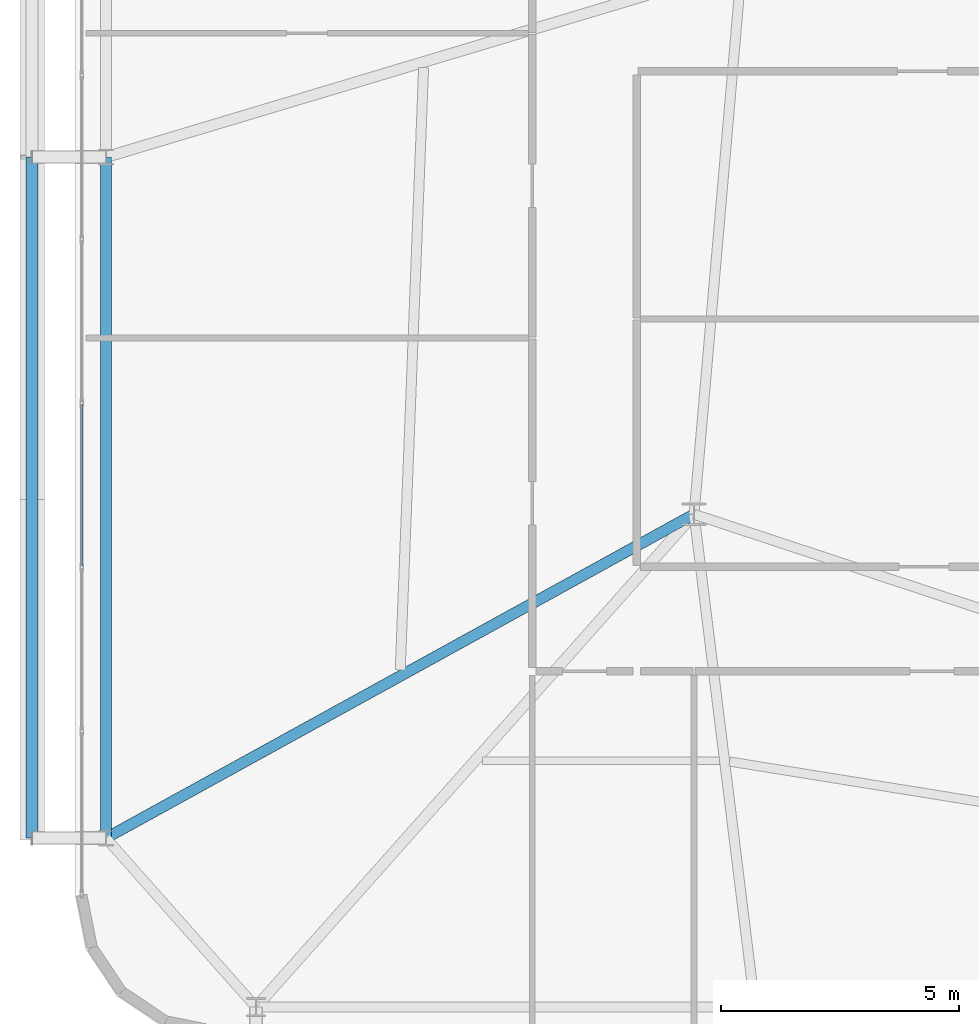
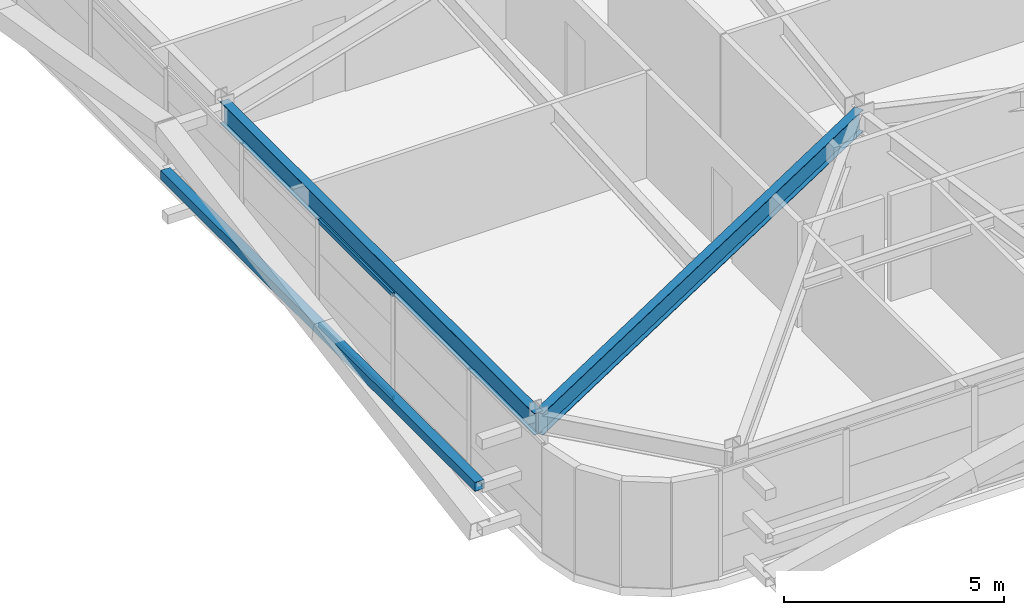
# One storey, part 9 of 59: 3 members, 2 beams, 1 element without a shape of its own.
"""IFC4 building model written with IfcOpenShell, lengths in metres."""

from ifc_helpers import new_model, si_unit, direction, frame, origin, origin_2d, place, context, subcontext, project, spatial, hollow_rectangle, i_section, extrude, source, transform, mapped, material, layer, layer_set, material_profile, profile_set, type_object, element, aggregate, save


model = new_model("IFC4")

# Units and contexts
model_context = context("Model", 3, precision=1e-05, world=origin(), true_north=direction((0.0, 1.0)))
body_context = subcontext(model_context, "Body", "Model", "MODEL_VIEW")
ifc_project = project(units=[si_unit("LENGTHUNIT", "METRE"), si_unit("AREAUNIT", "SQUARE_METRE"), si_unit("VOLUMEUNIT", "CUBIC_METRE"), si_unit("PLANEANGLEUNIT", "RADIAN"), si_unit("MASSUNIT", "GRAM", prefix="KILO")], contexts=[model_context])

# Site, building, storey
site_placement = place(None, origin())
site = spatial("IfcSite", under=ifc_project, at=site_placement, CompositionType="ELEMENT")
building_placement = place(site_placement, origin())
building = spatial("IfcBuilding", under=site, at=building_placement, Name="Taldren Reach Tower", CompositionType="ELEMENT")
storey_placement = place(building_placement, frame((0.0, 0.0, 48.300048828125)))
storey = spatial("IfcBuildingStorey", under=building, at=storey_placement, Name="L14", CompositionType="ELEMENT", Elevation=48.300048828125)

# Beams
ifc_material_1 = material(Name="Steel Gr 350 (350PLUS)", Category="steel")
ifc_material_profile_1 = material_profile(ifc_material_1, i_section(OverallWidth=0.22802734375, OverallDepth=0.60205078125, WebThickness=0.010498046875, FlangeThickness=0.014892578125, at=origin_2d()), Name="610UB101")
ifc_profile_set_1 = profile_set([ifc_material_profile_1], Name="Steel Gr 350 (350PLUS)")
beam_type = type_object("IfcBeamType", Name="BM-UB610B", PredefinedType="BEAM", material=ifc_profile_set_1)
shared_shape_1 = source(origin(), body_context, "Body", "SweptSolid", [
    extrude(i_section(OverallWidth=0.22802734375, OverallDepth=0.60205078125, WebThickness=0.010498046875, FlangeThickness=0.014892578125, at=origin_2d()), origin(), (0.0, 0.0, 1.0), 14.300048828125),
])
beam_1_placement = place(storey_placement, frame((5.64990234375, 20.0, 2.62890625), z_axis=(0.0, -1.0, 0.0), x_axis=(1.0, 0.0, 0.0)))
element("IfcBeam", 1, at=beam_1_placement, inside=storey, type_object=beam_type, Name="Perimeter gable girder B1 W2-W1 L14", PredefinedType="BEAM", context=body_context, shape_type="MappedRepresentation", body=[
    mapped(shared_shape_1, transform((0.0, 0.0, 0.0), scale=1.0)),
])
shared_shape_2 = source(origin(), body_context, "Body", "SweptSolid", [
    extrude(i_section(OverallWidth=0.22802734375, OverallDepth=0.60205078125, WebThickness=0.010498046875, FlangeThickness=0.014892578125, at=origin_2d()), origin(), (0.0, 0.0, 1.0), 14.098388671875),
])
beam_2_placement = place(storey_placement, frame((18.0, 12.5, 2.62890625), z_axis=(-0.875991325783, -0.482326857175, 0.0), x_axis=(0.482326857175, -0.875991325783, 0.0)))
element("IfcBeam", 2, at=beam_2_placement, inside=storey, type_object=beam_type, Name="Primary floor girder B1-W1 L14", PredefinedType="BEAM", context=body_context, shape_type="MappedRepresentation", body=[
    mapped(shared_shape_2, transform((0.0, 0.0, 0.0), scale=1.0)),
])

# Member
ifc_material_2 = material(Name="Steel Gr 350 (C350L0)", Category="steel")
ifc_material_profile_2 = material_profile(ifc_material_2, hollow_rectangle(XDim=0.25, YDim=0.25, WallThickness=0.010009765625, at=origin_2d()), Name="250x250x10.0SHS")
ifc_profile_set_2 = profile_set([ifc_material_profile_2], Name="Steel Gr 350 (C350L0)")
member_type_1 = type_object("IfcMemberType", Name="MB-POST250", PredefinedType="POST", material=ifc_profile_set_2)
shared_shape_3 = source(origin(), body_context, "Body", "SweptSolid", [
    extrude(hollow_rectangle(XDim=0.25, YDim=0.25, WallThickness=0.010009765625, at=origin_2d()), origin(), (0.0, 0.0, 1.0), 14.300048828125),
])
member_1_placement = place(storey_placement, frame((4.10009765625, 5.699951171875, 1.43505859375), z_axis=(0.0, 1.0, 0.0), x_axis=(-1.0, 0.0, 0.0)))
element("IfcMember", 3, at=member_1_placement, inside=storey, type_object=member_type_1, Name="Exoskeleton mid-height ring chord B1-W1 L14", PredefinedType="POST", context=body_context, shape_type="MappedRepresentation", body=[
    mapped(shared_shape_3, transform((0.0, 0.0, 0.0), scale=1.0)),
])

# Curtain wall, members
ifc_material_3 = material(Name="Aluminium and Low-E Glass Unitised System", Category="aluminium")
ifc_layer = layer(ifc_material_3, 0.159912109375)
ifc_layer_set = layer_set([ifc_layer], Name="Aluminium and Low-E Glass Unitised System")
curtain_wall_type = type_object("IfcCurtainWallType", Name="CW-SYS-2", PredefinedType="NOTDEFINED", material=ifc_layer_set)
curtain_wall_placement = place(storey_placement, origin())
curtain_wall = element("IfcCurtainWall", 4, at=curtain_wall_placement, inside=storey, type_object=curtain_wall_type, Name="Unitised curtain wall CW-L14-W", PredefinedType="NOTDEFINED")
ifc_material_4 = material(Name="Anodised Aluminium 6063-T6", Category="aluminium")
ifc_material_profile_3 = material_profile(ifc_material_4, hollow_rectangle(XDim=0.054931640625, YDim=0.1201171875, WallThickness=0.0029296875, at=origin_2d()), Name="ALU-120x55x3RHS")
ifc_profile_set_3 = profile_set([ifc_material_profile_3], Name="Anodised Aluminium 6063-T6")
member_type_2 = type_object("IfcMemberType", Name="CW-TRN-135", PredefinedType="USERDEFINED", material=ifc_profile_set_3)
shared_shape_4 = source(origin(), body_context, "Body", "SweptSolid", [
    extrude(hollow_rectangle(XDim=0.054931640625, YDim=0.1201171875, WallThickness=0.0029296875, at=origin_2d()), origin(), (0.0, 0.0, 1.0), 3.37939453125),
])
member_2_placement = place(storey_placement, frame((5.139892578125, 14.80078125, 0.02734375), z_axis=(0.0, -1.0, 0.0), x_axis=(1.0, 0.0, 0.0)))
member_2 = element("IfcMember", 5, at=member_2_placement, type_object=member_type_2, Name="CW-2 transom 7.1", ObjectType="TRANSOM", PredefinedType="USERDEFINED", context=body_context, shape_type="MappedRepresentation", body=[
    mapped(shared_shape_4, transform((0.0, 0.0, 0.0), scale=1.0)),
])
member_3_placement = place(storey_placement, frame((5.139892578125, 14.80078125, 2.90234375), z_axis=(0.0, -1.0, 0.0), x_axis=(1.0, 0.0, 0.0)))
member_3 = element("IfcMember", 6, at=member_3_placement, type_object=member_type_2, Name="CW-2 transom 7.2", ObjectType="TRANSOM", PredefinedType="USERDEFINED", context=body_context, shape_type="MappedRepresentation", body=[
    mapped(shared_shape_4, transform((0.0, 0.0, 0.0), scale=1.0)),
])
aggregate(curtain_wall, [member_2, member_3])

save(model, "model.ifc")
